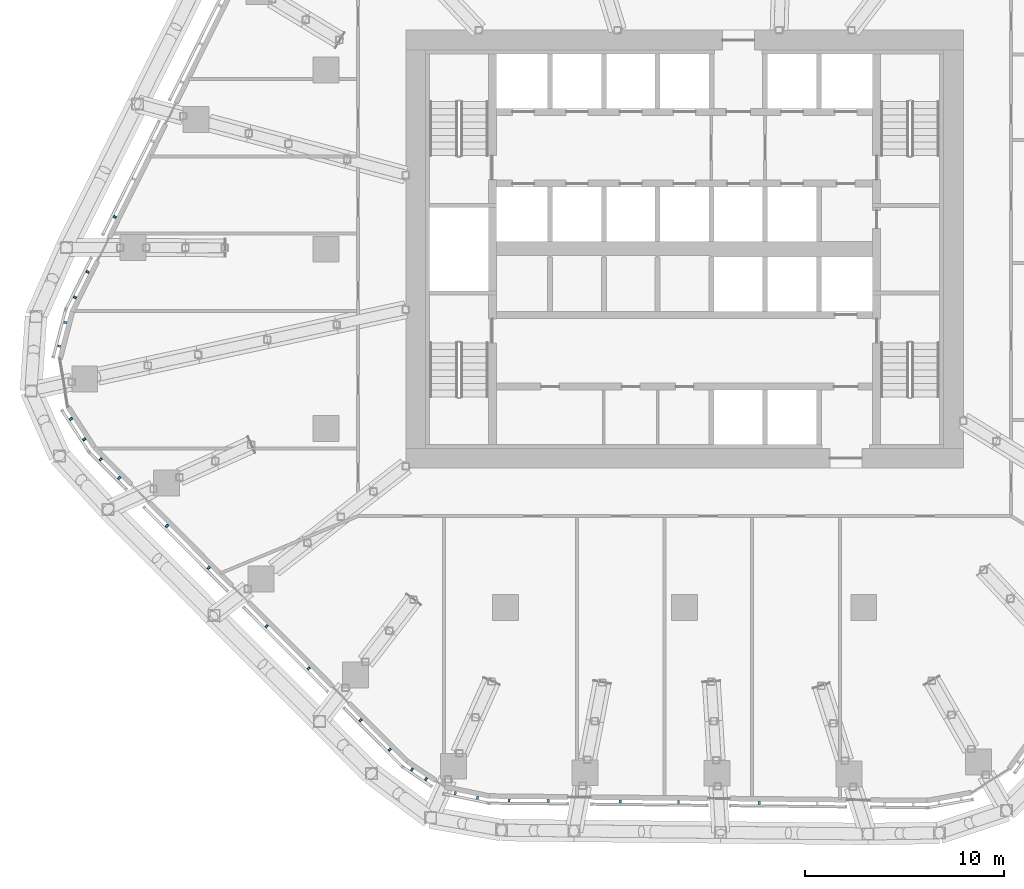
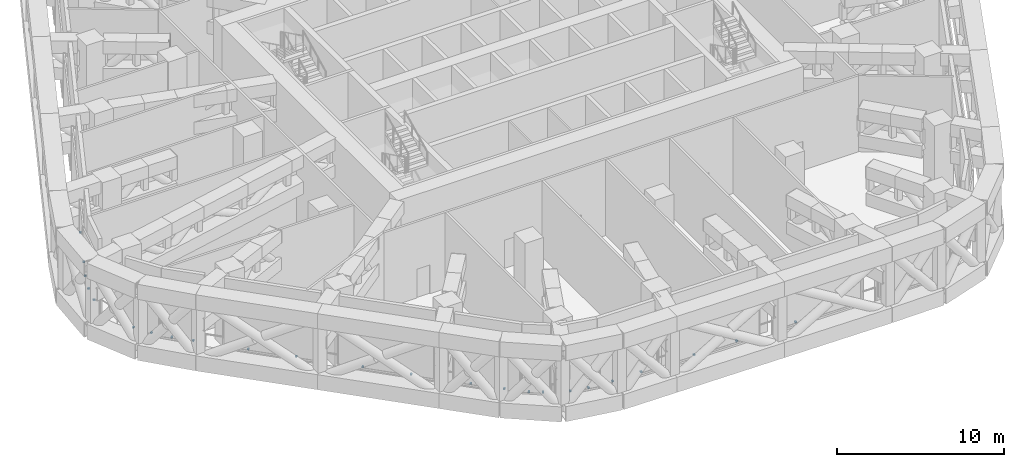
# One storey, part 21 of 30: 24 discrete accessories, 5 elements without a shape of their own.
"""IFC4 building model written with IfcOpenShell, lengths in metres."""

from ifc_helpers import new_model, si_unit, direction, frame, origin, origin_2d, place, context, subcontext, project, spatial, rectangle, extrude, material, layer, layer_set, type_object, element, aggregate, save


model = new_model("IFC4")

# Units and contexts
model_context = context("Model", 3, precision=1e-05, world=origin(), true_north=direction((0.0, 1.0)))
body_context = subcontext(model_context, "Body", "Model", "MODEL_VIEW")
ifc_project = project(units=[si_unit("LENGTHUNIT", "METRE"), si_unit("AREAUNIT", "SQUARE_METRE"), si_unit("VOLUMEUNIT", "CUBIC_METRE"), si_unit("PLANEANGLEUNIT", "RADIAN"), si_unit("MASSUNIT", "GRAM", prefix="KILO")], contexts=[model_context])

# Site, building, storey
site_placement = place(None, origin())
site = spatial("IfcSite", under=ifc_project, at=site_placement, CompositionType="ELEMENT")
building_placement = place(site_placement, origin())
building = spatial("IfcBuilding", under=site, at=building_placement, Name="Dongbaek Canopy Tower", CompositionType="ELEMENT")
storey_placement = place(building_placement, frame((0.0, 0.0, 145.60009765625)))
storey = spatial("IfcBuildingStorey", under=building, at=storey_placement, Name="L32", CompositionType="ELEMENT", Elevation=145.60009765625)

# Curtain wall, discrete accessories
ifc_material_1 = material(Name="Aluminium 6063-T6 pale anodised", Category="aluminium")
ifc_layer = layer(ifc_material_1, 0.14990234375)
ifc_layer_set = layer_set([ifc_layer], Name="CW-7 louvre curtain wall")
curtain_wall_type = type_object("IfcCurtainWallType", Name="CW-7 louvre curtain wall", PredefinedType="NOTDEFINED", material=ifc_layer_set)
curtain_wall_1_placement = place(storey_placement, origin())
curtain_wall_1 = element("IfcCurtainWall", 1, at=curtain_wall_1_placement, inside=storey, type_object=curtain_wall_type, Name="CW-7 louvre wall L32 F2", PredefinedType="NOTDEFINED")
ifc_material_2 = material(Name="Galvanised steel S355 bracket", Category="steel")
discrete_accessory_type = type_object("IfcDiscreteAccessoryType", Name="Louvre bracket BR1", PredefinedType="BRACKET", material=ifc_material_2)
discrete_accessory_1_placement = place(storey_placement, frame((-28.610107421875, 1.619384765625, 0.664794921875), z_axis=(0.0, 0.0, 1.0), x_axis=(-0.444929333502, -0.895565680556, 0.0)))
discrete_accessory_1 = element("IfcDiscreteAccessory", 2, at=discrete_accessory_1_placement, type_object=discrete_accessory_type, Name="Louvre bracket L32 F2.4.3", PredefinedType="BRACKET", context=body_context, shape_type="SweptSolid", body=[
    extrude(rectangle(XDim=0.1201171875, YDim=0.14990234375, at=origin_2d()), origin(), (0.0, 0.0, 1.0), 0.10009765625),
])
discrete_accessory_2_placement = place(storey_placement, frame((-29.98193359375, -1.141845703125, 0.664794921875), z_axis=(0.0, 0.0, 1.0), x_axis=(-0.444929333502, -0.895565680556, 0.0)))
discrete_accessory_2 = element("IfcDiscreteAccessory", 3, at=discrete_accessory_2_placement, type_object=discrete_accessory_type, Name="Louvre bracket L32 F2.5.1", PredefinedType="BRACKET", context=body_context, shape_type="SweptSolid", body=[
    extrude(rectangle(XDim=0.1201171875, YDim=0.14990234375, at=origin_2d()), origin(), (0.0, 0.0, 1.0), 0.10009765625),
])
discrete_accessory_3_placement = place(storey_placement, frame((-30.61572265625, -2.417724609375, 0.664794921875), z_axis=(0.0, 0.0, 1.0), x_axis=(-0.444929333502, -0.895565680556, 0.0)))
discrete_accessory_3 = element("IfcDiscreteAccessory", 4, at=discrete_accessory_3_placement, type_object=discrete_accessory_type, Name="Louvre bracket L32 F2.5.2", PredefinedType="BRACKET", context=body_context, shape_type="SweptSolid", body=[
    extrude(rectangle(XDim=0.1201171875, YDim=0.14990234375, at=origin_2d()), origin(), (0.0, 0.0, 1.0), 0.10009765625),
])
aggregate(curtain_wall_1, [discrete_accessory_1, discrete_accessory_2, discrete_accessory_3])

curtain_wall_2_placement = place(storey_placement, origin())
curtain_wall_2 = element("IfcCurtainWall", 5, at=curtain_wall_2_placement, inside=storey, type_object=curtain_wall_type, Name="CW-7 louvre wall L32 K3", PredefinedType="NOTDEFINED")
discrete_accessory_4_placement = place(storey_placement, frame((-31.100341796875, -3.684814453125, 0.664794921875), z_axis=(0.0, 0.0, 1.0), x_axis=(-0.250958405827, -0.967997871147, 0.0)))
discrete_accessory_4 = element("IfcDiscreteAccessory", 6, at=discrete_accessory_4_placement, type_object=discrete_accessory_type, Name="Louvre bracket L32 K3.1.1", PredefinedType="BRACKET", context=body_context, shape_type="SweptSolid", body=[
    extrude(rectangle(XDim=0.1201171875, YDim=0.14990234375, at=origin_2d()), origin(), (0.0, 0.0, 1.0), 0.10009765625),
])
discrete_accessory_5_placement = place(storey_placement, frame((-31.406494140625, -4.86572265625, 0.664794921875), z_axis=(0.0, 0.0, 1.0), x_axis=(-0.250958405827, -0.967997871147, 0.0)))
discrete_accessory_5 = element("IfcDiscreteAccessory", 7, at=discrete_accessory_5_placement, type_object=discrete_accessory_type, Name="Louvre bracket L32 K3.1.2", PredefinedType="BRACKET", context=body_context, shape_type="SweptSolid", body=[
    extrude(rectangle(XDim=0.1201171875, YDim=0.14990234375, at=origin_2d()), origin(), (0.0, 0.0, 1.0), 0.10009765625),
])
discrete_accessory_6_placement = place(storey_placement, frame((-30.8115234375, -8.5244140625, 0.664794921875), z_axis=(0.0, 0.0, 1.0), x_axis=(0.544699132785, -0.838631536936, 0.0)))
discrete_accessory_6 = element("IfcDiscreteAccessory", 8, at=discrete_accessory_6_placement, type_object=discrete_accessory_type, Name="Louvre bracket L32 K3.2.1", PredefinedType="BRACKET", context=body_context, shape_type="SweptSolid", body=[
    extrude(rectangle(XDim=0.1201171875, YDim=0.14990234375, at=origin_2d()), origin(), (0.0, 0.0, 1.0), 0.10009765625),
])
discrete_accessory_7_placement = place(storey_placement, frame((-30.14697265625, -9.547607421875, 0.664794921875), z_axis=(0.0, 0.0, 1.0), x_axis=(0.544699132785, -0.838631536936, 0.0)))
discrete_accessory_7 = element("IfcDiscreteAccessory", 9, at=discrete_accessory_7_placement, type_object=discrete_accessory_type, Name="Louvre bracket L32 K3.2.2", PredefinedType="BRACKET", context=body_context, shape_type="SweptSolid", body=[
    extrude(rectangle(XDim=0.1201171875, YDim=0.14990234375, at=origin_2d()), origin(), (0.0, 0.0, 1.0), 0.10009765625),
])
aggregate(curtain_wall_2, [discrete_accessory_4, discrete_accessory_5, discrete_accessory_6, discrete_accessory_7])

curtain_wall_3_placement = place(storey_placement, origin())
curtain_wall_3 = element("IfcCurtainWall", 10, at=curtain_wall_3_placement, inside=storey, type_object=curtain_wall_type, Name="CW-7 louvre wall L32 F3", PredefinedType="NOTDEFINED")
discrete_accessory_8_placement = place(storey_placement, frame((-29.324951171875, -10.556884765625, 0.664794921875), z_axis=(0.0, 0.0, 1.0), x_axis=(0.705731739235, -0.708479154412, 0.0)))
discrete_accessory_8 = element("IfcDiscreteAccessory", 11, at=discrete_accessory_8_placement, type_object=discrete_accessory_type, Name="Louvre bracket L32 F3.1.1", PredefinedType="BRACKET", context=body_context, shape_type="SweptSolid", body=[
    extrude(rectangle(XDim=0.1201171875, YDim=0.14990234375, at=origin_2d()), origin(), (0.0, 0.0, 1.0), 0.10009765625),
])
discrete_accessory_9_placement = place(storey_placement, frame((-28.39697265625, -11.48828125, 0.664794921875), z_axis=(0.0, 0.0, 1.0), x_axis=(0.705731739235, -0.708479154412, 0.0)))
discrete_accessory_9 = element("IfcDiscreteAccessory", 12, at=discrete_accessory_9_placement, type_object=discrete_accessory_type, Name="Louvre bracket L32 F3.1.2", PredefinedType="BRACKET", context=body_context, shape_type="SweptSolid", body=[
    extrude(rectangle(XDim=0.1201171875, YDim=0.14990234375, at=origin_2d()), origin(), (0.0, 0.0, 1.0), 0.10009765625),
])
discrete_accessory_10_placement = place(storey_placement, frame((-25.99560546875, -13.899169921875, 0.664794921875), z_axis=(0.0, 0.0, 1.0), x_axis=(0.705731739235, -0.708479154412, 0.0)))
discrete_accessory_10 = element("IfcDiscreteAccessory", 13, at=discrete_accessory_10_placement, type_object=discrete_accessory_type, Name="Louvre bracket L32 F3.2.1", PredefinedType="BRACKET", context=body_context, shape_type="SweptSolid", body=[
    extrude(rectangle(XDim=0.1201171875, YDim=0.14990234375, at=origin_2d()), origin(), (0.0, 0.0, 1.0), 0.10009765625),
])
discrete_accessory_11_placement = place(storey_placement, frame((-23.898193359375, -16.004638671875, 0.664794921875), z_axis=(0.0, 0.0, 1.0), x_axis=(0.705731739235, -0.708479154412, 0.0)))
discrete_accessory_11 = element("IfcDiscreteAccessory", 14, at=discrete_accessory_11_placement, type_object=discrete_accessory_type, Name="Louvre bracket L32 F3.2.2", PredefinedType="BRACKET", context=body_context, shape_type="SweptSolid", body=[
    extrude(rectangle(XDim=0.1201171875, YDim=0.14990234375, at=origin_2d()), origin(), (0.0, 0.0, 1.0), 0.10009765625),
])
discrete_accessory_12_placement = place(storey_placement, frame((-20.982177734375, -18.931884765625, 0.664794921875), z_axis=(0.0, 0.0, 1.0), x_axis=(0.705731739235, -0.708479154412, 0.0)))
discrete_accessory_12 = element("IfcDiscreteAccessory", 15, at=discrete_accessory_12_placement, type_object=discrete_accessory_type, Name="Louvre bracket L32 F3.3.1", PredefinedType="BRACKET", context=body_context, shape_type="SweptSolid", body=[
    extrude(rectangle(XDim=0.1201171875, YDim=0.14990234375, at=origin_2d()), origin(), (0.0, 0.0, 1.0), 0.10009765625),
])
discrete_accessory_13_placement = place(storey_placement, frame((-18.8740234375, -21.048583984375, 0.664794921875), z_axis=(0.0, 0.0, 1.0), x_axis=(0.705731739235, -0.708479154412, 0.0)))
discrete_accessory_13 = element("IfcDiscreteAccessory", 16, at=discrete_accessory_13_placement, type_object=discrete_accessory_type, Name="Louvre bracket L32 F3.3.2", PredefinedType="BRACKET", context=body_context, shape_type="SweptSolid", body=[
    extrude(rectangle(XDim=0.1201171875, YDim=0.14990234375, at=origin_2d()), origin(), (0.0, 0.0, 1.0), 0.10009765625),
])
discrete_accessory_14_placement = place(storey_placement, frame((-16.27197265625, -23.66064453125, 0.664794921875), z_axis=(0.0, 0.0, 1.0), x_axis=(0.705731739235, -0.708479154412, 0.0)))
discrete_accessory_14 = element("IfcDiscreteAccessory", 17, at=discrete_accessory_14_placement, type_object=discrete_accessory_type, Name="Louvre bracket L32 F3.4.1", PredefinedType="BRACKET", context=body_context, shape_type="SweptSolid", body=[
    extrude(rectangle(XDim=0.1201171875, YDim=0.14990234375, at=origin_2d()), origin(), (0.0, 0.0, 1.0), 0.10009765625),
])
discrete_accessory_15_placement = place(storey_placement, frame((-14.806640625, -25.1318359375, 0.664794921875), z_axis=(0.0, 0.0, 1.0), x_axis=(0.705731739235, -0.708479154412, 0.0)))
discrete_accessory_15 = element("IfcDiscreteAccessory", 18, at=discrete_accessory_15_placement, type_object=discrete_accessory_type, Name="Louvre bracket L32 F3.4.2", PredefinedType="BRACKET", context=body_context, shape_type="SweptSolid", body=[
    extrude(rectangle(XDim=0.1201171875, YDim=0.14990234375, at=origin_2d()), origin(), (0.0, 0.0, 1.0), 0.10009765625),
])
aggregate(curtain_wall_3, [discrete_accessory_8, discrete_accessory_9, discrete_accessory_10, discrete_accessory_11, discrete_accessory_12, discrete_accessory_13, discrete_accessory_14, discrete_accessory_15])

curtain_wall_4_placement = place(storey_placement, origin())
curtain_wall_4 = element("IfcCurtainWall", 19, at=curtain_wall_4_placement, inside=storey, type_object=curtain_wall_type, Name="CW-7 louvre wall L32 K4", PredefinedType="NOTDEFINED")
discrete_accessory_16_placement = place(storey_placement, frame((-13.68896484375, -26.13134765625, 0.664794921875), z_axis=(0.0, 0.0, 1.0), x_axis=(0.82920864921, -0.558939188172, 0.0)))
discrete_accessory_16 = element("IfcDiscreteAccessory", 20, at=discrete_accessory_16_placement, type_object=discrete_accessory_type, Name="Louvre bracket L32 K4.1.1", PredefinedType="BRACKET", context=body_context, shape_type="SweptSolid", body=[
    extrude(rectangle(XDim=0.1201171875, YDim=0.14990234375, at=origin_2d()), origin(), (0.0, 0.0, 1.0), 0.10009765625),
])
discrete_accessory_17_placement = place(storey_placement, frame((-12.979248046875, -26.609619140625, 0.664794921875), z_axis=(0.0, 0.0, 1.0), x_axis=(0.82920864921, -0.558939188172, 0.0)))
discrete_accessory_17 = element("IfcDiscreteAccessory", 21, at=discrete_accessory_17_placement, type_object=discrete_accessory_type, Name="Louvre bracket L32 K4.1.2", PredefinedType="BRACKET", context=body_context, shape_type="SweptSolid", body=[
    extrude(rectangle(XDim=0.1201171875, YDim=0.14990234375, at=origin_2d()), origin(), (0.0, 0.0, 1.0), 0.10009765625),
])
discrete_accessory_18_placement = place(storey_placement, frame((-11.516845703125, -27.31640625, 0.664794921875), z_axis=(0.0, 0.0, 1.0), x_axis=(0.97913500533, -0.203210829776, 0.0)))
discrete_accessory_18 = element("IfcDiscreteAccessory", 22, at=discrete_accessory_18_placement, type_object=discrete_accessory_type, Name="Louvre bracket L32 K4.2.1", PredefinedType="BRACKET", context=body_context, shape_type="SweptSolid", body=[
    extrude(rectangle(XDim=0.1201171875, YDim=0.14990234375, at=origin_2d()), origin(), (0.0, 0.0, 1.0), 0.10009765625),
])
discrete_accessory_19_placement = place(storey_placement, frame((-10.397216796875, -27.548583984375, 0.664794921875), z_axis=(0.0, 0.0, 1.0), x_axis=(0.97913500533, -0.203210829776, 0.0)))
discrete_accessory_19 = element("IfcDiscreteAccessory", 23, at=discrete_accessory_19_placement, type_object=discrete_accessory_type, Name="Louvre bracket L32 K4.2.2", PredefinedType="BRACKET", context=body_context, shape_type="SweptSolid", body=[
    extrude(rectangle(XDim=0.1201171875, YDim=0.14990234375, at=origin_2d()), origin(), (0.0, 0.0, 1.0), 0.10009765625),
])
aggregate(curtain_wall_4, [discrete_accessory_16, discrete_accessory_17, discrete_accessory_18, discrete_accessory_19])

curtain_wall_5_placement = place(storey_placement, origin())
curtain_wall_5 = element("IfcCurtainWall", 24, at=curtain_wall_5_placement, inside=storey, type_object=curtain_wall_type, Name="CW-7 louvre wall L32 F4", PredefinedType="NOTDEFINED")
discrete_accessory_20_placement = place(storey_placement, frame((-8.814697265625, -27.67919921875, 0.664794921875), z_axis=(0.0, 0.0, 1.0), x_axis=(0.999945908801, -0.010400936107, 0.0)))
discrete_accessory_20 = element("IfcDiscreteAccessory", 25, at=discrete_accessory_20_placement, type_object=discrete_accessory_type, Name="Louvre bracket L32 F4.1.1", PredefinedType="BRACKET", context=body_context, shape_type="SweptSolid", body=[
    extrude(rectangle(XDim=0.1201171875, YDim=0.14990234375, at=origin_2d()), origin(), (0.0, 0.0, 1.0), 0.10009765625),
])
discrete_accessory_21_placement = place(storey_placement, frame((-6.84619140625, -27.69970703125, 0.664794921875), z_axis=(0.0, 0.0, 1.0), x_axis=(0.999945908801, -0.010400936107, 0.0)))
discrete_accessory_21 = element("IfcDiscreteAccessory", 26, at=discrete_accessory_21_placement, type_object=discrete_accessory_type, Name="Louvre bracket L32 F4.1.2", PredefinedType="BRACKET", context=body_context, shape_type="SweptSolid", body=[
    extrude(rectangle(XDim=0.1201171875, YDim=0.14990234375, at=origin_2d()), origin(), (0.0, 0.0, 1.0), 0.10009765625),
])
discrete_accessory_22_placement = place(storey_placement, frame((-3.225341796875, -27.7373046875, 0.664794921875), z_axis=(0.0, 0.0, 1.0), x_axis=(0.999945908801, -0.010400936107, 0.0)))
discrete_accessory_22 = element("IfcDiscreteAccessory", 27, at=discrete_accessory_22_placement, type_object=discrete_accessory_type, Name="Louvre bracket L32 F4.2.1", PredefinedType="BRACKET", context=body_context, shape_type="SweptSolid", body=[
    extrude(rectangle(XDim=0.1201171875, YDim=0.14990234375, at=origin_2d()), origin(), (0.0, 0.0, 1.0), 0.10009765625),
])
discrete_accessory_23_placement = place(storey_placement, frame((-0.304931640625, -27.767822265625, 0.664794921875), z_axis=(0.0, 0.0, 1.0), x_axis=(0.999945908801, -0.010400936107, 0.0)))
discrete_accessory_23 = element("IfcDiscreteAccessory", 28, at=discrete_accessory_23_placement, type_object=discrete_accessory_type, Name="Louvre bracket L32 F4.2.2", PredefinedType="BRACKET", context=body_context, shape_type="SweptSolid", body=[
    extrude(rectangle(XDim=0.1201171875, YDim=0.14990234375, at=origin_2d()), origin(), (0.0, 0.0, 1.0), 0.10009765625),
])
discrete_accessory_24_placement = place(storey_placement, frame((3.743896484375, -27.809814453125, 0.664794921875), z_axis=(0.0, 0.0, 1.0), x_axis=(0.999945908801, -0.010400936107, 0.0)))
discrete_accessory_24 = element("IfcDiscreteAccessory", 29, at=discrete_accessory_24_placement, type_object=discrete_accessory_type, Name="Louvre bracket L32 F4.3.1", PredefinedType="BRACKET", context=body_context, shape_type="SweptSolid", body=[
    extrude(rectangle(XDim=0.1201171875, YDim=0.14990234375, at=origin_2d()), origin(), (0.0, 0.0, 1.0), 0.10009765625),
])
aggregate(curtain_wall_5, [discrete_accessory_20, discrete_accessory_21, discrete_accessory_22, discrete_accessory_23, discrete_accessory_24])

save(model, "model.ifc")
